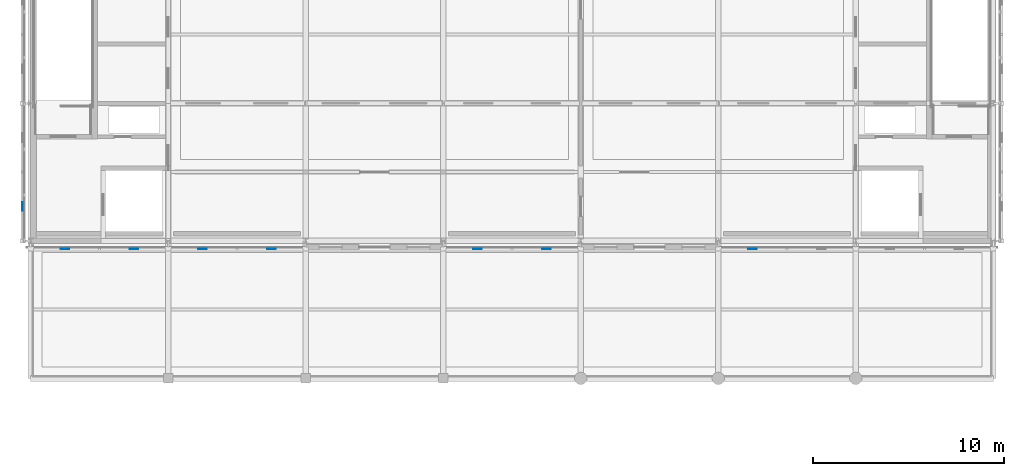
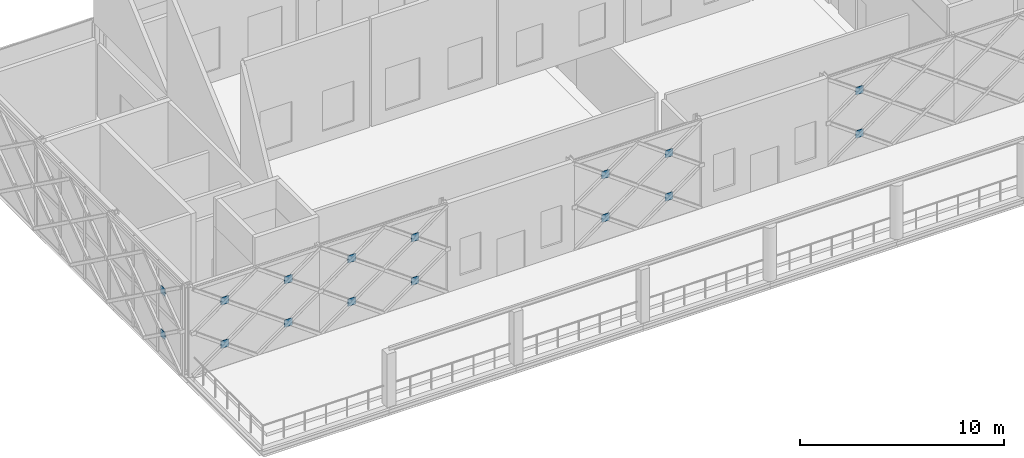
# One storey, part 21 of 31: 16 plates.
"""IFC4 building model written with IfcOpenShell, lengths in metres."""

from ifc_helpers import new_model, si_unit, direction, frame, origin, origin_2d, place, context, subcontext, project, spatial, rectangle, extrude, material, layer, layer_set, type_object, element, save


model = new_model("IFC4")

# Units and contexts
model_context = context("Model", 3, precision=1e-05, world=origin(), true_north=direction((0.0, 1.0)))
body_context = subcontext(model_context, "Body", "Model", "MODEL_VIEW")
ifc_project = project(units=[si_unit("LENGTHUNIT", "METRE"), si_unit("AREAUNIT", "SQUARE_METRE"), si_unit("VOLUMEUNIT", "CUBIC_METRE"), si_unit("PLANEANGLEUNIT", "RADIAN"), si_unit("MASSUNIT", "GRAM", prefix="KILO")], contexts=[model_context])

# Site, building, storey
site_placement = place(None, origin())
site = spatial("IfcSite", under=ifc_project, at=site_placement, CompositionType="ELEMENT")
building_placement = place(site_placement, origin())
building = spatial("IfcBuilding", under=site, at=building_placement, Name="Zlatovets Crest Museum", CompositionType="ELEMENT")
storey_placement = place(building_placement, frame((0.0, 0.0, 25.199951171875)))
storey = spatial("IfcBuildingStorey", under=building, at=storey_placement, Name="L05", CompositionType="ELEMENT", Elevation=25.199951171875)

# Plates
ifc_material = material(Name="Structural steel S355J2", Category="steel")
ifc_layer = layer(ifc_material, 0.02001953125)
ifc_layer_set = layer_set([ifc_layer], Name="Structural steel S355J2")
plate_type = type_object("IfcPlateType", Name="Gusset_GP-04", PredefinedType="USERDEFINED", material=ifc_layer_set)
for number, where, z_axis, x_axis, name in (
    (1, (59.39990234375, 93.179931640625, 1.17529296875), (0.0, 0.0, 1.0), (1.0, 0.0, 0.0), "X-Brace Crossing Node Gusset Plate GP-04"),
    (2, (63.0, 93.179931640625, 1.17529296875), (0.0, 0.0, 1.0), (1.0, 0.0, 0.0), "X-Brace Crossing Node Gusset Plate GP-04"),
    (3, (59.39990234375, 93.179931640625, 3.77490234375), (0.0, 0.0, 1.0), (1.0, 0.0, 0.0), "X-Brace Crossing Node Gusset Plate GP-04"),
    (4, (63.0, 93.179931640625, 3.77490234375), (0.0, 0.0, 1.0), (1.0, 0.0, 0.0), "X-Brace Crossing Node Gusset Plate GP-04"),
    (5, (66.60009765625, 93.179931640625, 1.17529296875), (0.0, 0.0, 1.0), (1.0, 0.0, 0.0), "X-Brace Crossing Node Gusset Plate GP-04"),
    (6, (70.199951171875, 93.179931640625, 1.17529296875), (0.0, 0.0, 1.0), (1.0, 0.0, 0.0), "X-Brace Crossing Node Gusset Plate GP-04"),
    (7, (66.60009765625, 93.179931640625, 3.77490234375), (0.0, 0.0, 1.0), (1.0, 0.0, 0.0), "X-Brace Crossing Node Gusset Plate GP-04"),
    (8, (70.199951171875, 93.179931640625, 3.77490234375), (0.0, 0.0, 1.0), (1.0, 0.0, 0.0), "X-Brace Crossing Node Gusset Plate GP-04"),
    (9, (81.0, 93.179931640625, 1.17529296875), (0.0, 0.0, 1.0), (1.0, 0.0, 0.0), "X-Brace Crossing Node Gusset Plate GP-04"),
    (10, (84.60009765625, 93.179931640625, 1.17529296875), (0.0, 0.0, 1.0), (1.0, 0.0, 0.0), "X-Brace Crossing Node Gusset Plate GP-04"),
    (11, (81.0, 93.179931640625, 3.77490234375), (0.0, 0.0, 1.0), (1.0, 0.0, 0.0), "X-Brace Crossing Node Gusset Plate GP-04"),
    (12, (84.60009765625, 93.179931640625, 3.77490234375), (0.0, 0.0, 1.0), (1.0, 0.0, 0.0), "X-Brace Crossing Node Gusset Plate GP-04"),
    (13, (95.39990234375, 93.179931640625, 1.17529296875), (0.0, 0.0, 1.0), (1.0, 0.0, 0.0), "X-Brace Crossing Node Gusset Plate GP-04"),
    (14, (95.39990234375, 93.179931640625, 3.77490234375), (0.0, 0.0, 1.0), (1.0, 0.0, 0.0), "X-Brace Crossing Node Gusset Plate GP-04"),
):
    element("IfcPlate", number, at=place(storey_placement, frame(where, z_axis=z_axis, x_axis=x_axis)), inside=storey, type_object=plate_type, Name=name, ObjectType="GUSSET", PredefinedType="USERDEFINED", context=body_context, shape_type="SweptSolid", body=[
        extrude(rectangle(XDim=0.449951171875, YDim=0.02001953125, at=origin_2d()), origin(), (0.0, 0.0, 1.0), 0.449951171875),
    ])
for number, where, z_axis, x_axis, name in (
    (15, (57.179931640625, 95.39990234375, 1.17529296875), (0.0, 0.0, 1.0), (1.0, 0.0, 0.0), "X-Brace Crossing Node Gusset Plate GP-04"),
    (16, (57.179931640625, 95.39990234375, 3.77490234375), (0.0, 0.0, 1.0), (1.0, 0.0, 0.0), "X-Brace Crossing Node Gusset Plate GP-04"),
):
    element("IfcPlate", number, at=place(storey_placement, frame(where, z_axis=z_axis, x_axis=x_axis)), inside=storey, type_object=plate_type, Name=name, ObjectType="GUSSET", PredefinedType="USERDEFINED", context=body_context, shape_type="SweptSolid", body=[
        extrude(rectangle(XDim=0.02001953125, YDim=0.449951171875, at=origin_2d()), origin(), (0.0, 0.0, 1.0), 0.449951171875),
    ])

save(model, "model.ifc")
